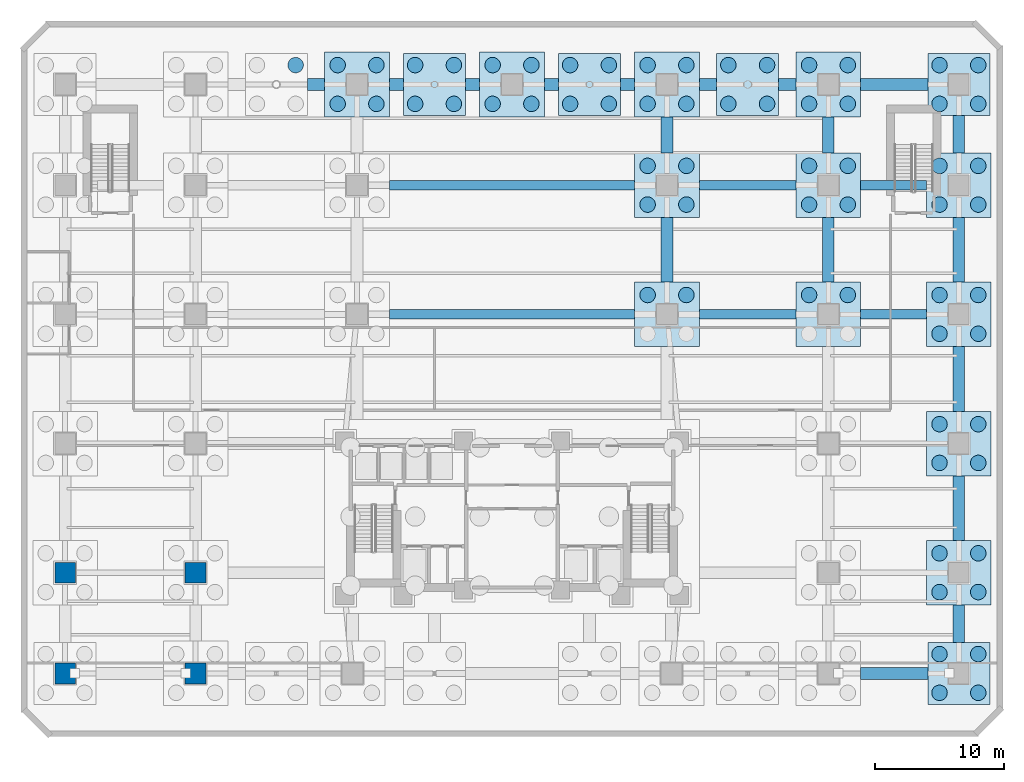
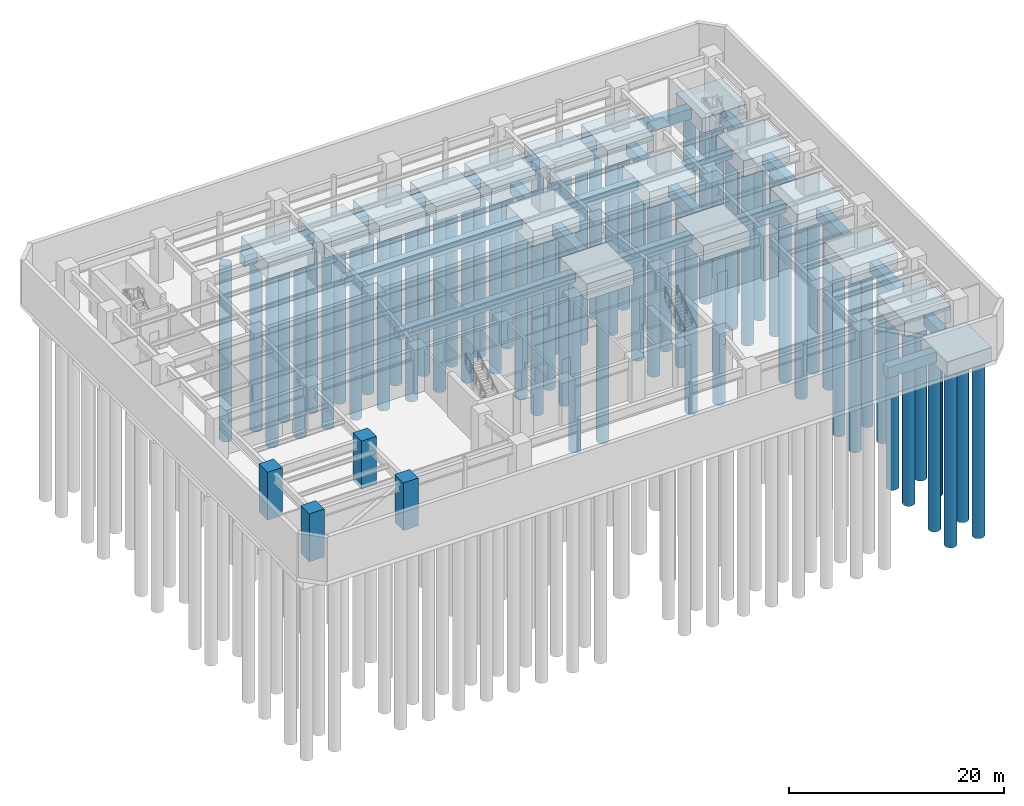
# One storey, part 2 of 15: 65 piles, 41 footings, 4 columns.
"""IFC4 building model written with IfcOpenShell, lengths in metres."""

from ifc_helpers import new_model, si_unit, direction, frame, origin, origin_2d, place, context, subcontext, project, spatial, rectangle, circle, extrude, material, material_profile, profile_set, type_object, element, save


model = new_model("IFC4")

# Units and contexts
model_context = context("Model", 3, precision=1e-05, world=origin(), true_north=direction((0.0, 1.0)))
body_context = subcontext(model_context, "Body", "Model", "MODEL_VIEW")
ifc_project = project(units=[si_unit("LENGTHUNIT", "METRE"), si_unit("AREAUNIT", "SQUARE_METRE"), si_unit("VOLUMEUNIT", "CUBIC_METRE"), si_unit("PLANEANGLEUNIT", "RADIAN"), si_unit("MASSUNIT", "GRAM", prefix="KILO")], contexts=[model_context])

# Site, building, storey
site_placement = place(None, origin())
site = spatial("IfcSite", under=ifc_project, at=site_placement, CompositionType="ELEMENT")
building_placement = place(site_placement, origin())
building = spatial("IfcBuilding", under=site, at=building_placement, Name="Quenlor Broadcast Tower", CompositionType="ELEMENT")
storey_placement = place(building_placement, frame((0.0, 0.0, -10.0)))
storey = spatial("IfcBuildingStorey", under=building, at=storey_placement, Name="B02", CompositionType="ELEMENT", Elevation=-10.0)

# Piles
ifc_material_1 = material(Name="Concrete C50/60", Category="concrete")
ifc_material_profile_1 = material_profile(ifc_material_1, circle(Radius=0.60009765625, at=origin_2d()))
ifc_profile_set_1 = profile_set([ifc_material_profile_1], Name="Concrete C50/60 PILE1200")
pile_type = type_object("IfcPileType", Name="Bored Concrete C50/60 Foundation Pile D1200", PredefinedType="BORED", material=ifc_profile_set_1)
for number, where, z_axis, x_axis, name in (
    (1, (33.10009765625, -24.300048828125, -2.0), (0.0, 0.0, -1.0), (1.0, 0.0, 0.0), "Bored Pile P2-021"),
    (2, (33.10009765625, -21.300048828125, -2.0), (0.0, 0.0, -1.0), (1.0, 0.0, 0.0), "Bored Pile P2-022"),
    (3, (36.10009765625, -24.300048828125, -2.0), (0.0, 0.0, -1.0), (1.0, 0.0, 0.0), "Bored Pile P2-023"),
    (4, (36.10009765625, -21.300048828125, -2.0), (0.0, 0.0, -1.0), (1.0, 0.0, 0.0), "Bored Pile P2-024"),
):
    element("IfcPile", number, at=place(storey_placement, frame(where, z_axis=z_axis, x_axis=x_axis)), inside=storey, type_object=pile_type, Name=name, PredefinedType="BORED", context=body_context, shape_type="SweptSolid", body=[
        extrude(circle(Radius=0.60009765625, at=origin_2d()), origin(), (0.0, 0.0, 1.0), 20.0),
    ])
for number, where, z_axis, x_axis, name in (
    (5, (33.10009765625, -16.5, -2.14990234375), (0.0, 0.0, -1.0), (1.0, 0.0, 0.0), "Bored Pile P2-037"),
    (6, (33.10009765625, -13.5, -2.14990234375), (0.0, 0.0, -1.0), (1.0, 0.0, 0.0), "Bored Pile P2-038"),
    (7, (36.10009765625, -16.5, -2.14990234375), (0.0, 0.0, -1.0), (1.0, 0.0, 0.0), "Bored Pile P2-039"),
    (8, (36.10009765625, -13.5, -2.14990234375), (0.0, 0.0, -1.0), (1.0, 0.0, 0.0), "Bored Pile P2-040"),
    (9, (33.10009765625, -6.5, -2.14990234375), (0.0, 0.0, -1.0), (1.0, 0.0, 0.0), "Bored Pile P2-053"),
    (10, (33.10009765625, -3.5, -2.14990234375), (0.0, 0.0, -1.0), (1.0, 0.0, 0.0), "Bored Pile P2-054"),
    (11, (36.10009765625, -6.5, -2.14990234375), (0.0, 0.0, -1.0), (1.0, 0.0, 0.0), "Bored Pile P2-055"),
    (12, (36.10009765625, -3.5, -2.14990234375), (0.0, 0.0, -1.0), (1.0, 0.0, 0.0), "Bored Pile P2-056"),
    (13, (10.5, 6.5, -2.14990234375), (0.0, 0.0, -1.0), (1.0, 0.0, 0.0), "Bored Pile P2-070"),
    (14, (13.5, 6.5, -2.14990234375), (0.0, 0.0, -1.0), (1.0, 0.0, 0.0), "Bored Pile P2-072"),
    (15, (23.0, 6.5, -2.14990234375), (0.0, 0.0, -1.0), (1.0, 0.0, 0.0), "Bored Pile P2-074"),
    (16, (26.0, 6.5, -2.14990234375), (0.0, 0.0, -1.0), (1.0, 0.0, 0.0), "Bored Pile P2-076"),
    (17, (33.10009765625, 3.5, -2.14990234375), (0.0, 0.0, -1.0), (1.0, 0.0, 0.0), "Bored Pile P2-077"),
    (18, (33.10009765625, 6.5, -2.14990234375), (0.0, 0.0, -1.0), (1.0, 0.0, 0.0), "Bored Pile P2-078"),
    (19, (36.10009765625, 3.5, -2.14990234375), (0.0, 0.0, -1.0), (1.0, 0.0, 0.0), "Bored Pile P2-079"),
    (20, (36.10009765625, 6.5, -2.14990234375), (0.0, 0.0, -1.0), (1.0, 0.0, 0.0), "Bored Pile P2-080"),
    (21, (10.5, 13.5, -2.14990234375), (0.0, 0.0, -1.0), (1.0, 0.0, 0.0), "Bored Pile P2-093"),
    (22, (10.5, 16.5, -2.14990234375), (0.0, 0.0, -1.0), (1.0, 0.0, 0.0), "Bored Pile P2-094"),
    (23, (13.5, 13.5, -2.14990234375), (0.0, 0.0, -1.0), (1.0, 0.0, 0.0), "Bored Pile P2-095"),
    (24, (13.5, 16.5, -2.14990234375), (0.0, 0.0, -1.0), (1.0, 0.0, 0.0), "Bored Pile P2-096"),
    (25, (23.0, 13.5, -2.14990234375), (0.0, 0.0, -1.0), (1.0, 0.0, 0.0), "Bored Pile P2-097"),
    (26, (23.0, 16.5, -2.14990234375), (0.0, 0.0, -1.0), (1.0, 0.0, 0.0), "Bored Pile P2-098"),
    (27, (26.0, 13.5, -2.14990234375), (0.0, 0.0, -1.0), (1.0, 0.0, 0.0), "Bored Pile P2-099"),
    (28, (26.0, 16.5, -2.14990234375), (0.0, 0.0, -1.0), (1.0, 0.0, 0.0), "Bored Pile P2-100"),
    (29, (33.10009765625, 13.5, -2.14990234375), (0.0, 0.0, -1.0), (1.0, 0.0, 0.0), "Bored Pile P2-101"),
    (30, (33.10009765625, 16.5, -2.14990234375), (0.0, 0.0, -1.0), (1.0, 0.0, 0.0), "Bored Pile P2-102"),
    (31, (36.10009765625, 13.5, -2.14990234375), (0.0, 0.0, -1.0), (1.0, 0.0, 0.0), "Bored Pile P2-103"),
    (32, (36.10009765625, 16.5, -2.14990234375), (0.0, 0.0, -1.0), (1.0, 0.0, 0.0), "Bored Pile P2-104"),
    (33, (-13.5, 21.300048828125, -2.14990234375), (0.0, 0.0, -1.0), (1.0, 0.0, 0.0), "Bored Pile P2-113"),
    (34, (-13.5, 24.300048828125, -2.14990234375), (0.0, 0.0, -1.0), (1.0, 0.0, 0.0), "Bored Pile P2-114"),
    (35, (-10.5, 21.300048828125, -2.14990234375), (0.0, 0.0, -1.0), (1.0, 0.0, 0.0), "Bored Pile P2-115"),
    (36, (-10.5, 24.300048828125, -2.14990234375), (0.0, 0.0, -1.0), (1.0, 0.0, 0.0), "Bored Pile P2-116"),
    (37, (-1.5, 21.300048828125, -2.14990234375), (0.0, 0.0, -1.0), (1.0, 0.0, 0.0), "Bored Pile P2-117"),
    (38, (-1.5, 24.300048828125, -2.14990234375), (0.0, 0.0, -1.0), (1.0, 0.0, 0.0), "Bored Pile P2-118"),
    (39, (1.5, 21.300048828125, -2.14990234375), (0.0, 0.0, -1.0), (1.0, 0.0, 0.0), "Bored Pile P2-119"),
    (40, (1.5, 24.300048828125, -2.14990234375), (0.0, 0.0, -1.0), (1.0, 0.0, 0.0), "Bored Pile P2-120"),
    (41, (10.5, 21.300048828125, -2.14990234375), (0.0, 0.0, -1.0), (1.0, 0.0, 0.0), "Bored Pile P2-121"),
    (42, (10.5, 24.300048828125, -2.14990234375), (0.0, 0.0, -1.0), (1.0, 0.0, 0.0), "Bored Pile P2-122"),
    (43, (13.5, 21.300048828125, -2.14990234375), (0.0, 0.0, -1.0), (1.0, 0.0, 0.0), "Bored Pile P2-123"),
    (44, (13.5, 24.300048828125, -2.14990234375), (0.0, 0.0, -1.0), (1.0, 0.0, 0.0), "Bored Pile P2-124"),
    (45, (23.0, 21.300048828125, -2.14990234375), (0.0, 0.0, -1.0), (1.0, 0.0, 0.0), "Bored Pile P2-125"),
    (46, (23.0, 24.300048828125, -2.14990234375), (0.0, 0.0, -1.0), (1.0, 0.0, 0.0), "Bored Pile P2-126"),
    (47, (26.0, 21.300048828125, -2.14990234375), (0.0, 0.0, -1.0), (1.0, 0.0, 0.0), "Bored Pile P2-127"),
    (48, (26.0, 24.300048828125, -2.14990234375), (0.0, 0.0, -1.0), (1.0, 0.0, 0.0), "Bored Pile P2-128"),
):
    element("IfcPile", number, at=place(storey_placement, frame(where, z_axis=z_axis, x_axis=x_axis)), inside=storey, type_object=pile_type, Name=name, PredefinedType="BORED", context=body_context, shape_type="SweptSolid", body=[
        extrude(circle(Radius=0.60009765625, at=origin_2d()), origin(), (0.0, 0.0, 1.0), 19.85009765625),
    ])
for number, where, z_axis, x_axis, name in (
    (49, (33.10009765625, 21.300048828125, -2.0), (0.0, 0.0, -1.0), (1.0, 0.0, 0.0), "Bored Pile P2-129"),
    (50, (33.10009765625, 24.300048828125, -2.0), (0.0, 0.0, -1.0), (1.0, 0.0, 0.0), "Bored Pile P2-130"),
    (51, (36.10009765625, 21.300048828125, -2.0), (0.0, 0.0, -1.0), (1.0, 0.0, 0.0), "Bored Pile P2-131"),
    (52, (36.10009765625, 24.300048828125, -2.0), (0.0, 0.0, -1.0), (1.0, 0.0, 0.0), "Bored Pile P2-132"),
    (53, (-16.75, 24.300048828125, -2.0), (0.0, 0.0, -1.0), (1.0, 0.0, 0.0), "Bored Pile P2-136"),
    (54, (16.75, 21.300048828125, -2.0), (0.0, 0.0, -1.0), (1.0, 0.0, 0.0), "Bored Pile P2-137"),
    (55, (16.75, 24.300048828125, -2.0), (0.0, 0.0, -1.0), (1.0, 0.0, 0.0), "Bored Pile P2-138"),
    (56, (19.75, 21.300048828125, -2.0), (0.0, 0.0, -1.0), (1.0, 0.0, 0.0), "Bored Pile P2-139"),
    (57, (19.75, 24.300048828125, -2.0), (0.0, 0.0, -1.0), (1.0, 0.0, 0.0), "Bored Pile P2-140"),
    (58, (-7.5, 21.300048828125, -2.0), (0.0, 0.0, -1.0), (1.0, 0.0, 0.0), "Bored Pile P2-141"),
    (59, (-7.5, 24.300048828125, -2.0), (0.0, 0.0, -1.0), (1.0, 0.0, 0.0), "Bored Pile P2-142"),
    (60, (-4.5, 21.300048828125, -2.0), (0.0, 0.0, -1.0), (1.0, 0.0, 0.0), "Bored Pile P2-143"),
    (61, (-4.5, 24.300048828125, -2.0), (0.0, 0.0, -1.0), (1.0, 0.0, 0.0), "Bored Pile P2-144"),
    (62, (4.5, 21.300048828125, -2.0), (0.0, 0.0, -1.0), (1.0, 0.0, 0.0), "Bored Pile P2-145"),
    (63, (4.5, 24.300048828125, -2.0), (0.0, 0.0, -1.0), (1.0, 0.0, 0.0), "Bored Pile P2-146"),
    (64, (7.5, 21.300048828125, -2.0), (0.0, 0.0, -1.0), (1.0, 0.0, 0.0), "Bored Pile P2-147"),
    (65, (7.5, 24.300048828125, -2.0), (0.0, 0.0, -1.0), (1.0, 0.0, 0.0), "Bored Pile P2-148"),
):
    element("IfcPile", number, at=place(storey_placement, frame(where, z_axis=z_axis, x_axis=x_axis)), inside=storey, type_object=pile_type, Name=name, PredefinedType="BORED", context=body_context, shape_type="SweptSolid", body=[
        extrude(circle(Radius=0.60009765625, at=origin_2d()), origin(), (0.0, 0.0, 1.0), 20.0),
    ])

# Footings
ifc_material_2 = material(Name="Concrete C50/60", Category="concrete")
footing_type_1 = type_object("IfcFootingType", Name="Mega Column Concrete C50/60 Pile Cap 5000x5000x1800", PredefinedType="PILE_CAP", material=ifc_material_2)
for number, where, z_axis, x_axis, name in (
    (66, (34.60009765625, -15.0, -2.25), (0.0, 0.0, 1.0), (1.0, 0.0, 0.0), "Pile Cap PM10"),
    (67, (34.60009765625, -5.0, -2.25), (0.0, 0.0, 1.0), (1.0, 0.0, 0.0), "Pile Cap PM14"),
    (68, (12.0, 5.0, -2.25), (0.0, 0.0, 1.0), (1.0, 0.0, 0.0), "Pile Cap PM18"),
    (69, (24.5, 5.0, -2.25), (0.0, 0.0, 1.0), (1.0, 0.0, 0.0), "Pile Cap PM19"),
    (70, (34.60009765625, 5.0, -2.25), (0.0, 0.0, 1.0), (1.0, 0.0, 0.0), "Pile Cap PM20"),
    (71, (12.0, 15.0, -2.25), (0.0, 0.0, 1.0), (1.0, 0.0, 0.0), "Pile Cap PM24"),
    (72, (24.5, 15.0, -2.25), (0.0, 0.0, 1.0), (1.0, 0.0, 0.0), "Pile Cap PM25"),
    (73, (34.60009765625, 15.0, -2.25), (0.0, 0.0, 1.0), (1.0, 0.0, 0.0), "Pile Cap PM26"),
    (74, (-12.0, 22.800048828125, -2.25), (0.0, 0.0, 1.0), (1.0, 0.0, 0.0), "Pile Cap PM29"),
    (75, (0.0, 22.800048828125, -2.25), (0.0, 0.0, 1.0), (1.0, 0.0, 0.0), "Pile Cap PM30"),
    (76, (12.0, 22.800048828125, -2.25), (0.0, 0.0, 1.0), (1.0, 0.0, 0.0), "Pile Cap PM31"),
    (77, (24.5, 22.800048828125, -2.25), (0.0, 0.0, 1.0), (1.0, 0.0, 0.0), "Pile Cap PM32"),
):
    element("IfcFooting", number, at=place(storey_placement, frame(where, z_axis=z_axis, x_axis=x_axis)), inside=storey, type_object=footing_type_1, Name=name, PredefinedType="PILE_CAP", context=body_context, shape_type="SweptSolid", body=[
        extrude(rectangle(XDim=5.0, YDim=5.0, at=origin_2d()), origin(), (0.0, 0.0, 1.0), 1.800048828125),
    ])
ifc_material_3 = material(Name="Concrete C50/60", Category="concrete")
footing_type_2 = type_object("IfcFootingType", Name="Perimeter Column Concrete C50/60 Pile Cap 4800x4800x1650", PredefinedType="PILE_CAP", material=ifc_material_3)
for number, where, z_axis, x_axis, name in (
    (78, (34.60009765625, -22.800048828125, -2.099853515625), (0.0, 0.0, 1.0), (1.0, 0.0, 0.0), "Pile Cap PM6"),
    (79, (34.60009765625, 22.800048828125, -2.099853515625), (0.0, 0.0, 1.0), (1.0, 0.0, 0.0), "Pile Cap PM33"),
    (80, (18.25, 22.800048828125, -2.099853515625), (0.0, 0.0, 1.0), (1.0, 0.0, 0.0), "Pile Cap SCE1"),
    (81, (-6.0, 22.800048828125, -2.099853515625), (0.0, 0.0, 1.0), (1.0, 0.0, 0.0), "Pile Cap SCW2"),
    (82, (6.0, 22.800048828125, -2.099853515625), (0.0, 0.0, 1.0), (1.0, 0.0, 0.0), "Pile Cap SCE2"),
):
    element("IfcFooting", number, at=place(storey_placement, frame(where, z_axis=z_axis, x_axis=x_axis)), inside=storey, type_object=footing_type_2, Name=name, PredefinedType="PILE_CAP", context=body_context, shape_type="SweptSolid", body=[
        extrude(rectangle(XDim=4.800048828125, YDim=4.800048828125, at=origin_2d()), origin(), (0.0, 0.0, 1.0), 1.64990234375),
    ])
ifc_material_4 = material(Name="Concrete C50/60", Category="concrete")
footing_type_3 = type_object("IfcFootingType", Name="Reinforced Concrete C50/60 Grade Beam 900x1200", PredefinedType="FOOTING_BEAM", material=ifc_material_4)
footing_1_placement = place(storey_placement, frame((29.60009765625, -22.800048828125, -1.64990234375), z_axis=(0.0, 0.0, 1.0), x_axis=(1.0, 0.0, 0.0)))
element("IfcFooting", 83, at=footing_1_placement, inside=storey, type_object=footing_type_3, Name="Grade Beam GB-09", PredefinedType="FOOTING_BEAM", context=body_context, shape_type="SweptSolid", body=[
    extrude(rectangle(XDim=5.199951171875, YDim=0.89990234375, at=origin_2d()), origin(), (0.0, 0.0, 1.0), 1.199951171875),
])
footing_2_placement = place(storey_placement, frame((34.60009765625, -18.949951171875, -1.64990234375), z_axis=(0.0, 0.0, 1.0), x_axis=(0.0, 1.0, 0.0)))
element("IfcFooting", 84, at=footing_2_placement, inside=storey, type_object=footing_type_3, Name="Grade Beam GB-10", PredefinedType="FOOTING_BEAM", context=body_context, shape_type="SweptSolid", body=[
    extrude(rectangle(XDim=2.89990234375, YDim=0.89990234375, at=origin_2d()), origin(), (0.0, 0.0, 1.0), 1.199951171875),
])
for number, where, z_axis, x_axis, name in (
    (85, (34.60009765625, -10.0, -1.64990234375), (0.0, 0.0, 1.0), (0.0, 1.0, 0.0), "Grade Beam GB-11"),
    (86, (34.60009765625, 0.0, -1.64990234375), (0.0, 0.0, 1.0), (0.0, 1.0, 0.0), "Grade Beam GB-12"),
    (87, (34.60009765625, 10.0, -1.64990234375), (0.0, 0.0, 1.0), (0.0, 1.0, 0.0), "Grade Beam GB-13"),
):
    element("IfcFooting", number, at=place(storey_placement, frame(where, z_axis=z_axis, x_axis=x_axis)), inside=storey, type_object=footing_type_3, Name=name, PredefinedType="FOOTING_BEAM", context=body_context, shape_type="SweptSolid", body=[
        extrude(rectangle(XDim=5.0, YDim=0.89990234375, at=origin_2d()), origin(), (0.0, 0.0, 1.0), 1.199951171875),
    ])
footing_3_placement = place(storey_placement, frame((34.60009765625, 18.949951171875, -1.64990234375), z_axis=(0.0, 0.0, 1.0), x_axis=(0.0, 1.0, 0.0)))
element("IfcFooting", 88, at=footing_3_placement, inside=storey, type_object=footing_type_3, Name="Grade Beam GB-14", PredefinedType="FOOTING_BEAM", context=body_context, shape_type="SweptSolid", body=[
    extrude(rectangle(XDim=2.89990234375, YDim=0.89990234375, at=origin_2d()), origin(), (0.0, 0.0, 1.0), 1.199951171875),
])
footing_4_placement = place(storey_placement, frame((-15.175048828125, 22.800048828125, -1.64990234375), z_axis=(0.0, 0.0, 1.0), x_axis=(1.0, 0.0, 0.0)))
element("IfcFooting", 89, at=footing_4_placement, inside=storey, type_object=footing_type_3, Name="Grade Beam GB-17", PredefinedType="FOOTING_BEAM", context=body_context, shape_type="SweptSolid", body=[
    extrude(rectangle(XDim=1.35009765625, YDim=0.89990234375, at=origin_2d()), origin(), (0.0, 0.0, 1.0), 1.199951171875),
])
for number, where, z_axis, x_axis, name in (
    (90, (-8.949951171875, 22.800048828125, -1.64990234375), (0.0, 0.0, 1.0), (1.0, 0.0, 0.0), "Grade Beam GB-18"),
    (91, (-3.050048828125, 22.800048828125, -1.64990234375), (0.0, 0.0, 1.0), (1.0, 0.0, 0.0), "Grade Beam GB-19"),
    (92, (3.050048828125, 22.800048828125, -1.64990234375), (0.0, 0.0, 1.0), (1.0, 0.0, 0.0), "Grade Beam GB-20"),
    (93, (8.949951171875, 22.800048828125, -1.64990234375), (0.0, 0.0, 1.0), (1.0, 0.0, 0.0), "Grade Beam GB-21"),
):
    element("IfcFooting", number, at=place(storey_placement, frame(where, z_axis=z_axis, x_axis=x_axis)), inside=storey, type_object=footing_type_3, Name=name, PredefinedType="FOOTING_BEAM", context=body_context, shape_type="SweptSolid", body=[
        extrude(rectangle(XDim=1.10009765625, YDim=0.89990234375, at=origin_2d()), origin(), (0.0, 0.0, 1.0), 1.199951171875),
    ])
for number, where, z_axis, x_axis, name in (
    (94, (15.175048828125, 22.800048828125, -1.64990234375), (0.0, 0.0, 1.0), (1.0, 0.0, 0.0), "Grade Beam GB-22"),
    (95, (21.324951171875, 22.800048828125, -1.64990234375), (0.0, 0.0, 1.0), (1.0, 0.0, 0.0), "Grade Beam GB-23"),
):
    element("IfcFooting", number, at=place(storey_placement, frame(where, z_axis=z_axis, x_axis=x_axis)), inside=storey, type_object=footing_type_3, Name=name, PredefinedType="FOOTING_BEAM", context=body_context, shape_type="SweptSolid", body=[
        extrude(rectangle(XDim=1.35009765625, YDim=0.89990234375, at=origin_2d()), origin(), (0.0, 0.0, 1.0), 1.199951171875),
    ])
footing_5_placement = place(storey_placement, frame((29.60009765625, 22.800048828125, -1.64990234375), z_axis=(0.0, 0.0, 1.0), x_axis=(1.0, 0.0, 0.0)))
element("IfcFooting", 96, at=footing_5_placement, inside=storey, type_object=footing_type_3, Name="Grade Beam GB-24", PredefinedType="FOOTING_BEAM", context=body_context, shape_type="SweptSolid", body=[
    extrude(rectangle(XDim=5.199951171875, YDim=0.89990234375, at=origin_2d()), origin(), (0.0, 0.0, 1.0), 1.199951171875),
])
footing_6_placement = place(storey_placement, frame((24.5, 10.0, -1.64990234375), z_axis=(0.0, 0.0, 1.0), x_axis=(0.0, 1.0, 0.0)))
element("IfcFooting", 97, at=footing_6_placement, inside=storey, type_object=footing_type_3, Name="Grade Beam GB-38", PredefinedType="FOOTING_BEAM", context=body_context, shape_type="SweptSolid", body=[
    extrude(rectangle(XDim=5.0, YDim=0.89990234375, at=origin_2d()), origin(), (0.0, 0.0, 1.0), 1.199951171875),
])
footing_7_placement = place(storey_placement, frame((24.5, 18.89990234375, -1.64990234375), z_axis=(0.0, 0.0, 1.0), x_axis=(0.0, 1.0, 0.0)))
element("IfcFooting", 98, at=footing_7_placement, inside=storey, type_object=footing_type_3, Name="Grade Beam GB-39", PredefinedType="FOOTING_BEAM", context=body_context, shape_type="SweptSolid", body=[
    extrude(rectangle(XDim=2.800048828125, YDim=0.89990234375, at=origin_2d()), origin(), (0.0, 0.0, 1.0), 1.199951171875),
])
footing_8_placement = place(storey_placement, frame((12.0, 10.0, -1.64990234375), z_axis=(0.0, 0.0, 1.0), x_axis=(0.0, 1.0, 0.0)))
element("IfcFooting", 99, at=footing_8_placement, inside=storey, type_object=footing_type_3, Name="Grade Beam GB-52", PredefinedType="FOOTING_BEAM", context=body_context, shape_type="SweptSolid", body=[
    extrude(rectangle(XDim=5.0, YDim=0.89990234375, at=origin_2d()), origin(), (0.0, 0.0, 1.0), 1.199951171875),
])
footing_9_placement = place(storey_placement, frame((12.0, 18.89990234375, -1.64990234375), z_axis=(0.0, 0.0, 1.0), x_axis=(0.0, 1.0, 0.0)))
element("IfcFooting", 100, at=footing_9_placement, inside=storey, type_object=footing_type_3, Name="Grade Beam GB-53", PredefinedType="FOOTING_BEAM", context=body_context, shape_type="SweptSolid", body=[
    extrude(rectangle(XDim=2.800048828125, YDim=0.89990234375, at=origin_2d()), origin(), (0.0, 0.0, 1.0), 1.199951171875),
])
ifc_material_5 = material(Name="Concrete C50/60", Category="concrete")
footing_type_4 = type_object("IfcFootingType", Name="Reinforced Concrete C50/60 Tie Footing Beam 750x1000", PredefinedType="FOOTING_BEAM", material=ifc_material_5)
footing_10_placement = place(storey_placement, frame((0.0, 5.0, -1.449951171875), z_axis=(0.0, 0.0, 1.0), x_axis=(1.0, 0.0, 0.0)))
element("IfcFooting", 101, at=footing_10_placement, inside=storey, type_object=footing_type_4, Name="Grade Beam GB-42", PredefinedType="FOOTING_BEAM", context=body_context, shape_type="SweptSolid", body=[
    extrude(rectangle(XDim=19.0, YDim=0.75, at=origin_2d()), origin(), (0.0, 0.0, 1.0), 1.0),
])
footing_11_placement = place(storey_placement, frame((18.25, 5.0, -1.449951171875), z_axis=(0.0, 0.0, 1.0), x_axis=(1.0, 0.0, 0.0)))
element("IfcFooting", 102, at=footing_11_placement, inside=storey, type_object=footing_type_4, Name="Grade Beam GB-43", PredefinedType="FOOTING_BEAM", context=body_context, shape_type="SweptSolid", body=[
    extrude(rectangle(XDim=7.5, YDim=0.75, at=origin_2d()), origin(), (0.0, 0.0, 1.0), 1.0),
])
footing_12_placement = place(storey_placement, frame((29.550048828125, 5.0, -1.449951171875), z_axis=(0.0, 0.0, 1.0), x_axis=(1.0, 0.0, 0.0)))
element("IfcFooting", 103, at=footing_12_placement, inside=storey, type_object=footing_type_4, Name="Grade Beam GB-44", PredefinedType="FOOTING_BEAM", context=body_context, shape_type="SweptSolid", body=[
    extrude(rectangle(XDim=5.10009765625, YDim=0.75, at=origin_2d()), origin(), (0.0, 0.0, 1.0), 1.0),
])
footing_13_placement = place(storey_placement, frame((0.0, 15.0, -1.449951171875), z_axis=(0.0, 0.0, 1.0), x_axis=(1.0, 0.0, 0.0)))
element("IfcFooting", 104, at=footing_13_placement, inside=storey, type_object=footing_type_4, Name="Grade Beam GB-47", PredefinedType="FOOTING_BEAM", context=body_context, shape_type="SweptSolid", body=[
    extrude(rectangle(XDim=19.0, YDim=0.75, at=origin_2d()), origin(), (0.0, 0.0, 1.0), 1.0),
])
footing_14_placement = place(storey_placement, frame((18.25, 15.0, -1.449951171875), z_axis=(0.0, 0.0, 1.0), x_axis=(1.0, 0.0, 0.0)))
element("IfcFooting", 105, at=footing_14_placement, inside=storey, type_object=footing_type_4, Name="Grade Beam GB-48", PredefinedType="FOOTING_BEAM", context=body_context, shape_type="SweptSolid", body=[
    extrude(rectangle(XDim=7.5, YDim=0.75, at=origin_2d()), origin(), (0.0, 0.0, 1.0), 1.0),
])
footing_15_placement = place(storey_placement, frame((29.550048828125, 15.0, -1.449951171875), z_axis=(0.0, 0.0, 1.0), x_axis=(1.0, 0.0, 0.0)))
element("IfcFooting", 106, at=footing_15_placement, inside=storey, type_object=footing_type_4, Name="Grade Beam GB-49", PredefinedType="FOOTING_BEAM", context=body_context, shape_type="SweptSolid", body=[
    extrude(rectangle(XDim=5.10009765625, YDim=0.75, at=origin_2d()), origin(), (0.0, 0.0, 1.0), 1.0),
])

# Columns
ifc_material_6 = material(Name="Concrete C65/80", Category="concrete")
ifc_material_profile_2 = material_profile(ifc_material_6, rectangle(XDim=1.60009765625, YDim=1.60009765625, at=origin_2d()))
ifc_profile_set_2 = profile_set([ifc_material_profile_2], Name="Concrete C65/80 RC1600x1600")
column_type = type_object("IfcColumnType", Name="Podium Mega Column Concrete C65/80 1600", PredefinedType="COLUMN", material=ifc_profile_set_2)
for number, where, z_axis, x_axis, name in (
    (107, (-34.60009765625, -22.800048828125, -0.449951171875), (0.0, 0.0, 1.0), (1.0, 0.0, 0.0), "B02 Podium Mega Column PM1"),
    (108, (-24.5, -22.800048828125, -0.449951171875), (0.0, 0.0, 1.0), (1.0, 0.0, 0.0), "B02 Podium Mega Column PM2"),
    (109, (-34.60009765625, -15.0, -0.449951171875), (0.0, 0.0, 1.0), (1.0, 0.0, 0.0), "B02 Podium Mega Column PM7"),
    (110, (-24.5, -15.0, -0.449951171875), (0.0, 0.0, 1.0), (1.0, 0.0, 0.0), "B02 Podium Mega Column PM8"),
):
    element("IfcColumn", number, at=place(storey_placement, frame(where, z_axis=z_axis, x_axis=x_axis)), inside=storey, type_object=column_type, Name=name, PredefinedType="COLUMN", context=body_context, shape_type="SweptSolid", body=[
        extrude(rectangle(XDim=1.60009765625, YDim=1.60009765625, at=origin_2d()), origin(), (0.0, 0.0, 1.0), 5.449951171875),
    ])

save(model, "model.ifc")
